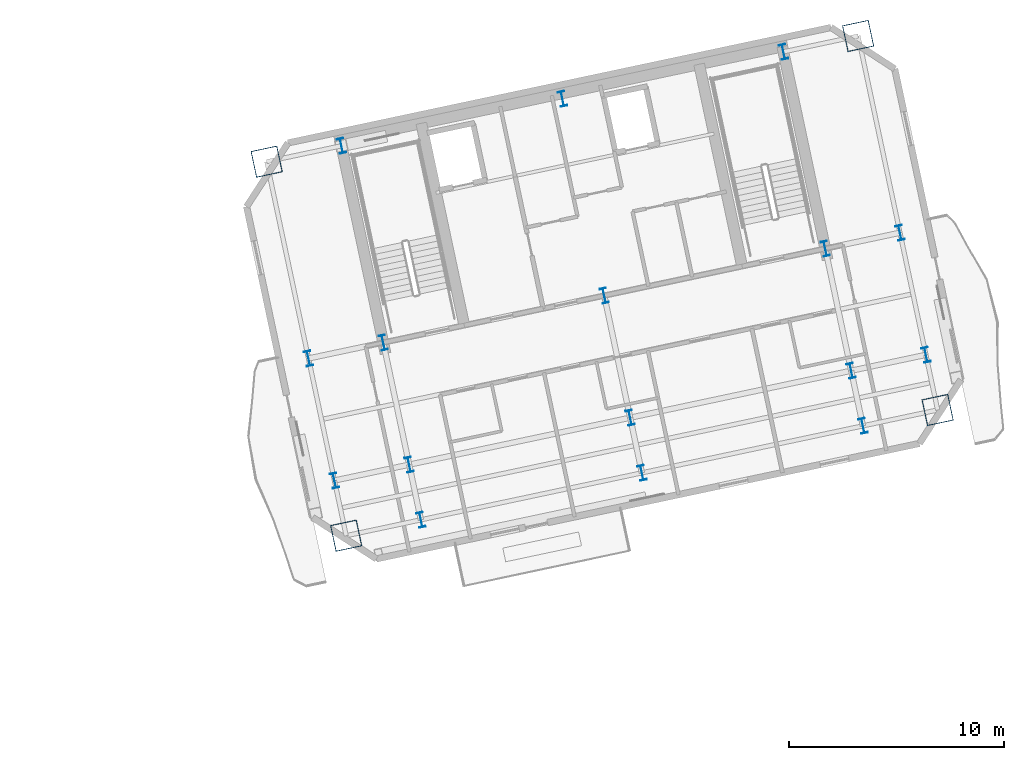
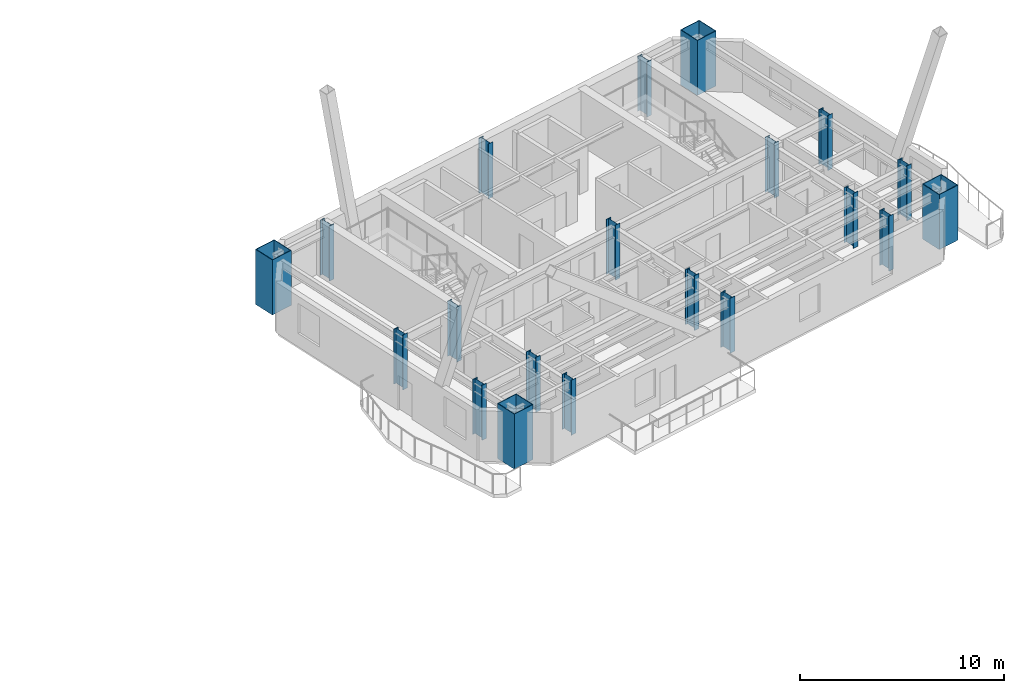
# One storey, part 2 of 13: 20 columns.
"""IFC4 building model written with IfcOpenShell, lengths in metres."""

from ifc_helpers import new_model, si_unit, direction, frame, origin, origin_2d, place, context, subcontext, project, spatial, hollow_rectangle, i_section, extrude, material, material_profile, profile_set, type_object, element, save


model = new_model("IFC4")

# Units and contexts
model_context = context("Model", 3, precision=1e-05, world=origin(), true_north=direction((0.0, 1.0)))
body_context = subcontext(model_context, "Body", "Model", "MODEL_VIEW")
ifc_project = project(units=[si_unit("LENGTHUNIT", "METRE"), si_unit("AREAUNIT", "SQUARE_METRE"), si_unit("VOLUMEUNIT", "CUBIC_METRE"), si_unit("PLANEANGLEUNIT", "RADIAN"), si_unit("MASSUNIT", "GRAM", prefix="KILO")], contexts=[model_context])

# Site, building, storey
site_placement = place(None, origin())
site = spatial("IfcSite", under=ifc_project, at=site_placement, CompositionType="ELEMENT")
building_placement = place(site_placement, origin())
building = spatial("IfcBuilding", under=site, at=building_placement, Name="Haevon Station Towers", CompositionType="ELEMENT")
storey_placement = place(building_placement, frame((0.0, 0.0, 185.699951171875)))
storey = spatial("IfcBuildingStorey", under=building, at=storey_placement, Name="L51", CompositionType="ELEMENT", Elevation=185.699951171875)

# Columns
ifc_material_1 = material(Name="Steel S460", Category="steel")
ifc_material_profile_1 = material_profile(ifc_material_1, hollow_rectangle(XDim=1.25, YDim=1.25, WallThickness=0.034912109375, at=origin_2d()), Name="BOX-1250x1250x35")
ifc_profile_set_1 = profile_set([ifc_material_profile_1], Name="Steel S460")
column_type_1 = type_object("IfcColumnType", Name="COL-MC4", PredefinedType="COLUMN", material=ifc_profile_set_1)
for number, where, z_axis, x_axis, name in (
    (1, (97.030517578125, 28.46826171875, 0.0), (0.0, 0.0, 1.0), (0.978147600734, 0.207911690818, 0.0), "COL-T2-L51-01-01"),
    (2, (93.3359375, 45.85009765625, 0.0), (0.0, 0.0, 1.0), (0.978147600734, 0.207911690818, 0.0), "COL-T2-L51-01-04"),
    (3, (124.5166015625, 34.310546875, 0.0), (0.0, 0.0, 1.0), (0.978147600734, 0.207911690818, 0.0), "COL-T2-L51-05-01"),
    (4, (120.822021484375, 51.6923828125, 0.0), (0.0, 0.0, 1.0), (0.978147600734, 0.207911690818, 0.0), "COL-T2-L51-05-04"),
):
    element("IfcColumn", number, at=place(storey_placement, frame(where, z_axis=z_axis, x_axis=x_axis)), inside=storey, type_object=column_type_1, Name=name, PredefinedType="COLUMN", context=body_context, shape_type="SweptSolid", body=[
        extrude(hollow_rectangle(XDim=1.25, YDim=1.25, WallThickness=0.034912109375, at=origin_2d()), origin(), (0.0, 0.0, 1.0), 3.300048828125),
    ])
ifc_material_2 = material(Name="Steel S355", Category="steel")
ifc_material_profile_2 = material_profile(ifc_material_2, i_section(OverallWidth=0.300048828125, OverallDepth=0.699951171875, WebThickness=0.01611328125, FlangeThickness=0.028076171875, at=origin_2d()), Name="H-700x300x16x28")
ifc_profile_set_2 = profile_set([ifc_material_profile_2], Name="Steel S355")
column_type_2 = type_object("IfcColumnType", Name="COL-TW3", PredefinedType="COLUMN", material=ifc_profile_set_2)
for number, where, z_axis, x_axis, name in (
    (5, (96.48583984375, 31.031005859375, 0.0), (0.0, 0.0, 1.0), (0.978147600734, 0.207911690818, 0.0), "COL-T2-L51-01-02"),
    (6, (95.280029296875, 36.704345703125, 0.0), (0.0, 0.0, 1.0), (0.978147600734, 0.207911690818, 0.0), "COL-T2-L51-01-03"),
    (7, (100.5029296875, 29.206298828125, 0.0), (0.0, 0.0, 1.0), (0.978147600734, 0.207911690818, 0.0), "COL-T2-L51-02-01"),
    (8, (99.958251953125, 31.76904296875, 0.0), (0.0, 0.0, 1.0), (0.978147600734, 0.207911690818, 0.0), "COL-T2-L51-02-02"),
    (9, (98.75244140625, 37.4423828125, 0.0), (0.0, 0.0, 1.0), (0.978147600734, 0.207911690818, 0.0), "COL-T2-L51-02-03"),
    (10, (96.808349609375, 46.588134765625, 0.0), (0.0, 0.0, 1.0), (0.978147600734, 0.207911690818, 0.0), "COL-T2-L51-02-04"),
    (11, (110.7734375, 31.389404296875, 0.0), (0.0, 0.0, 1.0), (0.978147600734, 0.207911690818, 0.0), "COL-T2-L51-03-01"),
    (12, (110.228759765625, 33.9521484375, 0.0), (0.0, 0.0, 1.0), (0.978147600734, 0.207911690818, 0.0), "COL-T2-L51-03-02"),
    (13, (109.02294921875, 39.62548828125, 0.0), (0.0, 0.0, 1.0), (0.978147600734, 0.207911690818, 0.0), "COL-T2-L51-03-03"),
    (14, (107.078857421875, 48.771240234375, 0.0), (0.0, 0.0, 1.0), (0.978147600734, 0.207911690818, 0.0), "COL-T2-L51-03-04"),
    (15, (121.0439453125, 33.572509765625, 0.0), (0.0, 0.0, 1.0), (0.978147600734, 0.207911690818, 0.0), "COL-T2-L51-04-01"),
    (16, (120.499267578125, 36.13525390625, 0.0), (0.0, 0.0, 1.0), (0.978147600734, 0.207911690818, 0.0), "COL-T2-L51-04-02"),
    (17, (119.29345703125, 41.80859375, 0.0), (0.0, 0.0, 1.0), (0.978147600734, 0.207911690818, 0.0), "COL-T2-L51-04-03"),
    (18, (117.349365234375, 50.954345703125, 0.0), (0.0, 0.0, 1.0), (0.978147600734, 0.207911690818, 0.0), "COL-T2-L51-04-04"),
    (19, (123.9716796875, 36.873291015625, 0.0), (0.0, 0.0, 1.0), (0.978147600734, 0.207911690818, 0.0), "COL-T2-L51-05-02"),
    (20, (122.765869140625, 42.546630859375, 0.0), (0.0, 0.0, 1.0), (0.978147600734, 0.207911690818, 0.0), "COL-T2-L51-05-03"),
):
    element("IfcColumn", number, at=place(storey_placement, frame(where, z_axis=z_axis, x_axis=x_axis)), inside=storey, type_object=column_type_2, Name=name, PredefinedType="COLUMN", context=body_context, shape_type="SweptSolid", body=[
        extrude(i_section(OverallWidth=0.300048828125, OverallDepth=0.699951171875, WebThickness=0.01611328125, FlangeThickness=0.028076171875, at=origin_2d()), origin(), (0.0, 0.0, 1.0), 3.300048828125),
    ])

save(model, "model.ifc")
